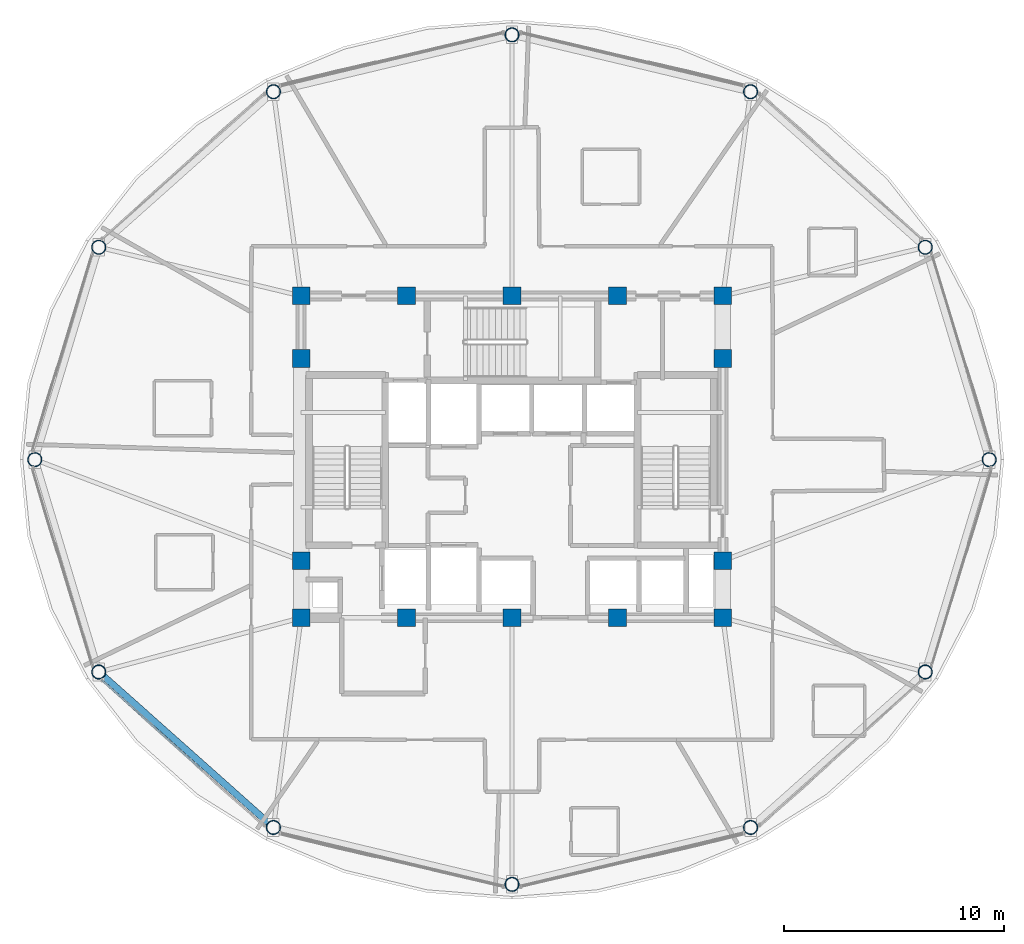
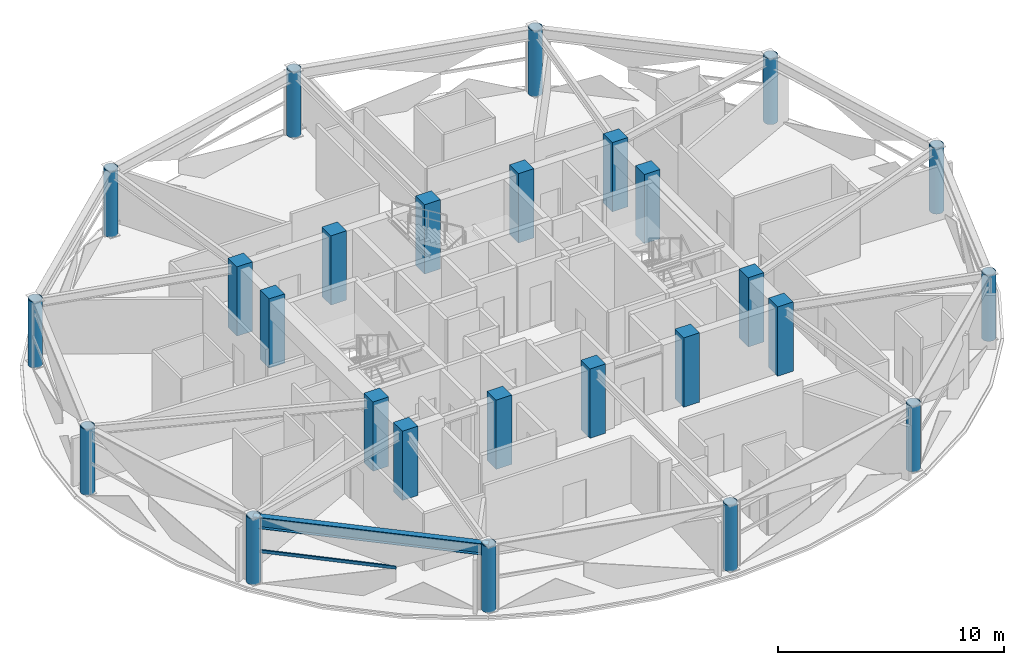
# One storey, part 1 of 28: 26 columns, 1 beam, 1 member, 1 element without a shape of its own.
"""IFC4 building model written with IfcOpenShell, lengths in metres."""

from ifc_helpers import new_model, si_unit, direction, frame, origin, origin_2d, place, context, subcontext, project, spatial, rectangle, hollow_rectangle, hollow_circle, i_section, extrude, material, layer, layer_set, material_profile, profile_set, type_object, element, aggregate, save


model = new_model("IFC4")

# Units and contexts
model_context = context("Model", 3, precision=1e-05, world=origin(), true_north=direction((0.0, 1.0)))
body_context = subcontext(model_context, "Body", "Model", "MODEL_VIEW")
ifc_project = project(units=[si_unit("LENGTHUNIT", "METRE"), si_unit("AREAUNIT", "SQUARE_METRE"), si_unit("VOLUMEUNIT", "CUBIC_METRE"), si_unit("PLANEANGLEUNIT", "RADIAN"), si_unit("MASSUNIT", "GRAM", prefix="KILO")], contexts=[model_context])

# Site, building, storey
site_placement = place(None, origin())
site = spatial("IfcSite", under=ifc_project, at=site_placement, CompositionType="ELEMENT")
building_placement = place(site_placement, origin())
building = spatial("IfcBuilding", under=site, at=building_placement, Name="Vantalir Tower", CompositionType="ELEMENT")
storey_placement = place(building_placement, frame((0.0, 0.0, 238.64990234375)))
storey = spatial("IfcBuildingStorey", under=building, at=storey_placement, Name="L60", CompositionType="ELEMENT", Elevation=238.64990234375)

# Columns
ifc_material_1 = material(Name="Concrete C50/60", Category="concrete")
ifc_material_profile_1 = material_profile(ifc_material_1, rectangle(XDim=0.800048828125, YDim=0.800048828125, at=origin_2d()), Name="Concrete C50/60")
ifc_profile_set_1 = profile_set([ifc_material_profile_1], Name="Concrete C50/60")
column_type_1 = type_object("IfcColumnType", Name="COL-CC-800", PredefinedType="COLUMN", material=ifc_profile_set_1)
for number, where, z_axis, x_axis, name in (
    (1, (21.89990234375, 17.800048828125, 0.0), (0.0, 0.0, 1.0), (1.0, 0.0, 0.0), "L60 Core Column CC01"),
    (2, (26.699951171875, 17.800048828125, 0.0), (0.0, 0.0, 1.0), (1.0, 0.0, 0.0), "L60 Core Column CC02"),
    (3, (31.5, 17.800048828125, 0.0), (0.0, 0.0, 1.0), (1.0, 0.0, 0.0), "L60 Core Column CC03"),
    (4, (36.300048828125, 17.800048828125, 0.0), (0.0, 0.0, 1.0), (1.0, 0.0, 0.0), "L60 Core Column CC04"),
    (5, (41.10009765625, 17.800048828125, 0.0), (0.0, 0.0, 1.0), (1.0, 0.0, 0.0), "L60 Core Column CC05"),
    (6, (21.89990234375, 20.39990234375, 0.0), (0.0, 0.0, 1.0), (1.0, 0.0, 0.0), "L60 Core Column CC06"),
    (7, (21.89990234375, 29.60009765625, 0.0), (0.0, 0.0, 1.0), (1.0, 0.0, 0.0), "L60 Core Column CC07"),
    (8, (41.10009765625, 20.39990234375, 0.0), (0.0, 0.0, 1.0), (1.0, 0.0, 0.0), "L60 Core Column CC08"),
    (9, (41.10009765625, 29.60009765625, 0.0), (0.0, 0.0, 1.0), (1.0, 0.0, 0.0), "L60 Core Column CC09"),
    (10, (21.89990234375, 32.449951171875, 0.0), (0.0, 0.0, 1.0), (1.0, 0.0, 0.0), "L60 Core Column CC10"),
    (11, (26.699951171875, 32.449951171875, 0.0), (0.0, 0.0, 1.0), (1.0, 0.0, 0.0), "L60 Core Column CC11"),
    (12, (31.5, 32.449951171875, 0.0), (0.0, 0.0, 1.0), (1.0, 0.0, 0.0), "L60 Core Column CC12"),
    (13, (36.300048828125, 32.449951171875, 0.0), (0.0, 0.0, 1.0), (1.0, 0.0, 0.0), "L60 Core Column CC13"),
    (14, (41.10009765625, 32.449951171875, 0.0), (0.0, 0.0, 1.0), (1.0, 0.0, 0.0), "L60 Core Column CC14"),
):
    element("IfcColumn", number, at=place(storey_placement, frame(where, z_axis=z_axis, x_axis=x_axis)), inside=storey, type_object=column_type_1, Name=name, PredefinedType="COLUMN", context=body_context, shape_type="SweptSolid", body=[
        extrude(rectangle(XDim=0.800048828125, YDim=0.800048828125, at=origin_2d()), origin(), (0.0, 0.0, 1.0), 3.75),
    ])
ifc_material_2 = material(Name="Steel S460", Category="steel")
ifc_material_profile_2 = material_profile(ifc_material_2, hollow_circle(Radius=0.324951171875, WallThickness=0.030029296875, at=origin_2d()), Name="Steel S460")
ifc_profile_set_2 = profile_set([ifc_material_profile_2], Name="Steel S460")
column_type_2 = type_object("IfcColumnType", Name="COL-RC-650", PredefinedType="COLUMN", material=ifc_profile_set_2)
for number, where, z_axis, x_axis, name in (
    (15, (53.218017578125, 25.0, 0.0), (0.0, 0.0, 1.0), (1.0, 0.0, 0.0), "L60 Perimeter Ring Column RC01"),
    (16, (50.30810546875, 34.666015625, 0.0), (0.0, 0.0, 1.0), (1.0, 0.0, 0.0), "L60 Perimeter Ring Column RC02"),
    (17, (42.35888671875, 41.742919921875, 0.0), (0.0, 0.0, 1.0), (1.0, 0.0, 0.0), "L60 Perimeter Ring Column RC03"),
    (18, (31.5, 44.3330078125, 0.0), (0.0, 0.0, 1.0), (1.0, 0.0, 0.0), "L60 Perimeter Ring Column RC04"),
    (19, (20.64111328125, 41.742919921875, 0.0), (0.0, 0.0, 1.0), (1.0, 0.0, 0.0), "L60 Perimeter Ring Column RC05"),
    (20, (12.69189453125, 34.666015625, 0.0), (0.0, 0.0, 1.0), (1.0, 0.0, 0.0), "L60 Perimeter Ring Column RC06"),
    (21, (9.781982421875, 25.0, 0.0), (0.0, 0.0, 1.0), (1.0, 0.0, 0.0), "L60 Perimeter Ring Column RC07"),
    (22, (12.69189453125, 15.3330078125, 0.0), (0.0, 0.0, 1.0), (1.0, 0.0, 0.0), "L60 Perimeter Ring Column RC08"),
    (23, (20.64111328125, 8.257080078125, 0.0), (0.0, 0.0, 1.0), (1.0, 0.0, 0.0), "L60 Perimeter Ring Column RC09"),
    (24, (31.5, 5.6669921875, 0.0), (0.0, 0.0, 1.0), (1.0, 0.0, 0.0), "L60 Perimeter Ring Column RC10"),
    (25, (42.35888671875, 8.257080078125, 0.0), (0.0, 0.0, 1.0), (1.0, 0.0, 0.0), "L60 Perimeter Ring Column RC11"),
    (26, (50.30810546875, 15.3330078125, 0.0), (0.0, 0.0, 1.0), (1.0, 0.0, 0.0), "L60 Perimeter Ring Column RC12"),
):
    element("IfcColumn", number, at=place(storey_placement, frame(where, z_axis=z_axis, x_axis=x_axis)), inside=storey, type_object=column_type_2, Name=name, PredefinedType="COLUMN", context=body_context, shape_type="SweptSolid", body=[
        extrude(hollow_circle(Radius=0.324951171875, WallThickness=0.030029296875, at=origin_2d()), origin(), (0.0, 0.0, 1.0), 3.570068359375),
    ])

# Beam
ifc_material_profile_3 = material_profile(ifc_material_2, i_section(OverallWidth=0.306884765625, OverallDepth=0.6201171875, WebThickness=0.01416015625, FlangeThickness=0.023681640625, at=origin_2d()), Name="Steel S460")
ifc_profile_set_3 = profile_set([ifc_material_profile_3], Name="Steel S460")
beam_type = type_object("IfcBeamType", Name="BM-RG-610x305", PredefinedType="USERDEFINED", material=ifc_profile_set_3)
beam_placement = place(storey_placement, frame((12.69189453125, 15.3330078125, 3.260009765625), z_axis=(0.746944629215, -0.664886246577, 0.0), x_axis=(0.664886246577, 0.746944629215, 0.0)))
element("IfcBeam", 27, at=beam_placement, inside=storey, type_object=beam_type, Name="L60 Circumferential Ring Girder 08", ObjectType="GIRDER", PredefinedType="USERDEFINED", context=body_context, shape_type="SweptSolid", body=[
    extrude(i_section(OverallWidth=0.306884765625, OverallDepth=0.6201171875, WebThickness=0.01416015625, FlangeThickness=0.023681640625, at=origin_2d()), origin(), (0.0, 0.0, 1.0), 10.642333984375),
])

# Curtain wall, member
ifc_material_3 = material(Name="Champagne-silver PVDF aluminium and double-silver Low-E glass", Category="aluminium")
ifc_layer = layer(ifc_material_3, 0.2099609375)
ifc_layer_set = layer_set([ifc_layer], Name="Champagne-silver PVDF aluminium and double-silver Low-E glass")
curtain_wall_type = type_object("IfcCurtainWallType", Name="CW-DIAMOND-Z3", PredefinedType="USERDEFINED", material=ifc_layer_set)
curtain_wall_placement = place(storey_placement, origin())
curtain_wall = element("IfcCurtainWall", 28, at=curtain_wall_placement, inside=storey, type_object=curtain_wall_type, Name="L60 Quilted Pyramid-Diamond Curtain Wall S08", ObjectType="UNITISED CURTAIN WALL", PredefinedType="USERDEFINED")
ifc_material_4 = material(Name="Champagne-silver PVDF aluminium 6063-T6", Category="aluminium")
ifc_material_profile_4 = material_profile(ifc_material_4, hollow_rectangle(XDim=0.074951171875, YDim=0.159912109375, WallThickness=0.00390625, at=origin_2d()), Name="Champagne-silver PVDF aluminium 6063-T6")
ifc_profile_set_4 = profile_set([ifc_material_profile_4], Name="Champagne-silver PVDF aluminium 6063-T6")
member_type = type_object("IfcMemberType", Name="CWT-160x75", PredefinedType="USERDEFINED", material=ifc_profile_set_4)
member_placement = place(storey_placement, frame((12.8330078125, 14.965087890625, 1.78515625), z_axis=(0.744045891746, -0.668128513817, 0.0), x_axis=(0.668128513817, 0.744045891746, 0.0)))
member = element("IfcMember", 29, at=member_placement, type_object=member_type, Name="CW-L60-S08 Pyramid Fold Ridge Transom", ObjectType="TRANSOM", PredefinedType="USERDEFINED", context=body_context, shape_type="SweptSolid", body=[
    extrude(hollow_rectangle(XDim=0.074951171875, YDim=0.159912109375, WallThickness=0.00390625, at=origin_2d()), origin(), (0.0, 0.0, 1.0), 6.148681640625),
])
aggregate(curtain_wall, [member])

save(model, "model.ifc")
